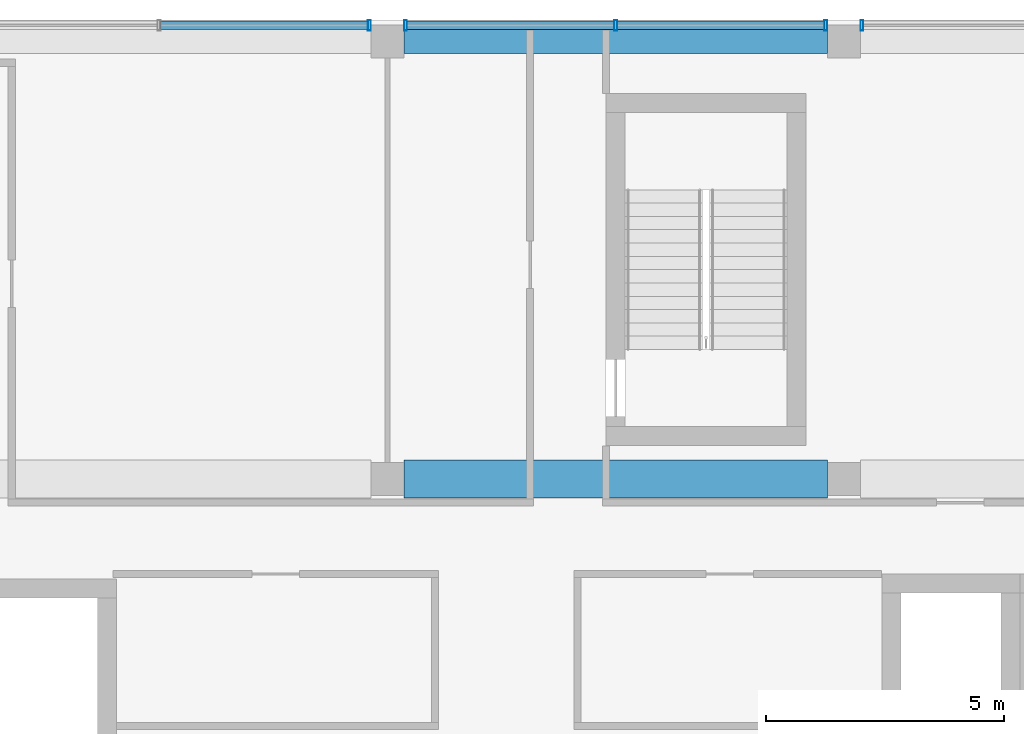
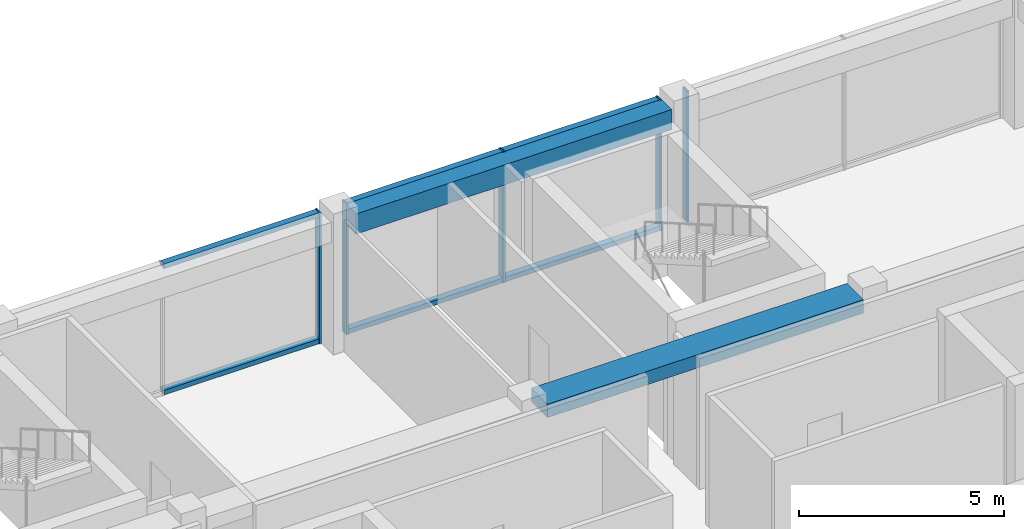
# One storey, part 15 of 27: 11 members, 2 beams, 3 elements without a shape of their own.
"""IFC4 building model written with IfcOpenShell, lengths in metres."""

from ifc_helpers import new_model, si_unit, direction, frame, origin, origin_2d, place, context, subcontext, project, spatial, rectangle, hollow_rectangle, extrude, material, layer, layer_set, material_profile, profile_set, type_object, element, aggregate, save


model = new_model("IFC4")

# Units and contexts
model_context = context("Model", 3, precision=1e-05, world=origin(), true_north=direction((0.0, 1.0)))
body_context = subcontext(model_context, "Body", "Model", "MODEL_VIEW")
ifc_project = project(units=[si_unit("LENGTHUNIT", "METRE"), si_unit("AREAUNIT", "SQUARE_METRE"), si_unit("VOLUMEUNIT", "CUBIC_METRE"), si_unit("PLANEANGLEUNIT", "RADIAN"), si_unit("MASSUNIT", "GRAM", prefix="KILO")], contexts=[model_context])

# Site, building, storey
site_placement = place(None, origin())
site = spatial("IfcSite", under=ifc_project, at=site_placement, CompositionType="ELEMENT")
building_placement = place(site_placement, origin())
building = spatial("IfcBuilding", under=site, at=building_placement, Name="Nzadi Deep Aquarium and Research Tower", CompositionType="ELEMENT")
storey_placement = place(building_placement, frame((0.0, 0.0, 69.699951171875)))
storey = spatial("IfcBuildingStorey", under=building, at=storey_placement, Name="L14", CompositionType="ELEMENT", Elevation=69.699951171875)

# Curtain wall, member
ifc_material_1 = material(Name="Aluminium unitised frame deep", Category="aluminium")
ifc_layer = layer(ifc_material_1, 0.22509765625)
ifc_layer_set = layer_set([ifc_layer], Name="Aluminium unitised frame deep")
curtain_wall_type = type_object("IfcCurtainWallType", Name="Curtain wall Unitised Deep 225", PredefinedType="NOTDEFINED", material=ifc_layer_set)
curtain_wall_1_placement = place(storey_placement, origin())
curtain_wall_1 = element("IfcCurtainWall", 1, at=curtain_wall_1_placement, inside=storey, type_object=curtain_wall_type, Name="Unitised curtain wall blade B north L14", PredefinedType="NOTDEFINED")
ifc_material_2 = material(Name="Aluminium unitised frame deep", Category="aluminium")
ifc_material_profile_1 = material_profile(ifc_material_2, hollow_rectangle(XDim=0.22509765625, YDim=0.06005859375, WallThickness=0.0048828125, at=origin_2d()))
ifc_profile_set_1 = profile_set([ifc_material_profile_1], Name="Aluminium unitised frame deep")
member_type_1 = type_object("IfcMemberType", Name="Mullion 60x225 Unitised Deep", PredefinedType="MULLION", material=ifc_profile_set_1)
member_1_placement = place(storey_placement, frame((18.820068359375, 46.33740234375, 0.0), z_axis=(0.0, 0.0, 1.0), x_axis=(0.0, 1.0, 0.0)))
member_1 = element("IfcMember", 2, at=member_1_placement, type_object=member_type_1, Name="CW181 mullion 3", PredefinedType="MULLION", context=body_context, shape_type="SweptSolid", body=[
    extrude(hollow_rectangle(XDim=0.22509765625, YDim=0.06005859375, WallThickness=0.0048828125, at=origin_2d()), origin(), (0.0, 0.0, 1.0), 3.900146484375),
])

# Curtain wall, members
curtain_wall_2_placement = place(storey_placement, origin())
curtain_wall_2 = element("IfcCurtainWall", 3, at=curtain_wall_2_placement, inside=storey, type_object=curtain_wall_type, Name="Unitised curtain wall blade B north L14", PredefinedType="NOTDEFINED")
member_2_placement = place(storey_placement, frame((19.580078125, 46.33740234375, 0.0), z_axis=(0.0, 0.0, 1.0), x_axis=(0.0, 1.0, 0.0)))
member_2 = element("IfcMember", 4, at=member_2_placement, type_object=member_type_1, Name="CW182 mullion 1", PredefinedType="MULLION", context=body_context, shape_type="SweptSolid", body=[
    extrude(hollow_rectangle(XDim=0.22509765625, YDim=0.06005859375, WallThickness=0.0048828125, at=origin_2d()), origin(), (0.0, 0.0, 1.0), 3.900146484375),
])
member_3_placement = place(storey_placement, frame((24.0, 46.33740234375, 0.0), z_axis=(0.0, 0.0, 1.0), x_axis=(0.0, 1.0, 0.0)))
member_3 = element("IfcMember", 5, at=member_3_placement, type_object=member_type_1, Name="CW182 mullion 2", PredefinedType="MULLION", context=body_context, shape_type="SweptSolid", body=[
    extrude(hollow_rectangle(XDim=0.22509765625, YDim=0.06005859375, WallThickness=0.0048828125, at=origin_2d()), origin(), (0.0, 0.0, 1.0), 3.900146484375),
])
member_4_placement = place(storey_placement, frame((28.419921875, 46.33740234375, 0.0), z_axis=(0.0, 0.0, 1.0), x_axis=(0.0, 1.0, 0.0)))
member_4 = element("IfcMember", 6, at=member_4_placement, type_object=member_type_1, Name="CW182 mullion 3", PredefinedType="MULLION", context=body_context, shape_type="SweptSolid", body=[
    extrude(hollow_rectangle(XDim=0.22509765625, YDim=0.06005859375, WallThickness=0.0048828125, at=origin_2d()), origin(), (0.0, 0.0, 1.0), 3.900146484375),
])

# Curtain wall, member
curtain_wall_3_placement = place(storey_placement, origin())
curtain_wall_3 = element("IfcCurtainWall", 7, at=curtain_wall_3_placement, inside=storey, type_object=curtain_wall_type, Name="Unitised curtain wall blade B north L14", PredefinedType="NOTDEFINED")
member_5_placement = place(storey_placement, frame((29.179931640625, 46.33740234375, 0.0), z_axis=(0.0, 0.0, 1.0), x_axis=(0.0, 1.0, 0.0)))
member_5 = element("IfcMember", 8, at=member_5_placement, type_object=member_type_1, Name="CW183 mullion 1", PredefinedType="MULLION", context=body_context, shape_type="SweptSolid", body=[
    extrude(hollow_rectangle(XDim=0.22509765625, YDim=0.06005859375, WallThickness=0.0048828125, at=origin_2d()), origin(), (0.0, 0.0, 1.0), 3.900146484375),
])
aggregate(curtain_wall_3, [member_5])

# Beams
ifc_material_3 = material(Name="Concrete C35/45", Category="concrete")
ifc_material_profile_2 = material_profile(ifc_material_3, rectangle(XDim=0.5, YDim=0.60009765625, at=origin_2d()))
ifc_profile_set_2 = profile_set([ifc_material_profile_2], Name="Concrete C35/45")
beam_type_1 = type_object("IfcBeamType", Name="RC 500x600", PredefinedType="BEAM", material=ifc_profile_set_2)
beam_1_placement = place(storey_placement, frame((19.550048828125, 46.0, 3.60009765625), z_axis=(1.0, 0.0, 0.0), x_axis=(0.0, 1.0, 0.0)))
element("IfcBeam", 9, at=beam_1_placement, inside=storey, type_object=beam_type_1, Name="B-Z1-L14-L6-3", PredefinedType="BEAM", context=body_context, shape_type="SweptSolid", body=[
    extrude(rectangle(XDim=0.5, YDim=0.60009765625, at=origin_2d()), origin(), (0.0, 0.0, 1.0), 8.89990234375),
])
ifc_material_4 = material(Name="Concrete C35/45", Category="concrete")
ifc_material_profile_3 = material_profile(ifc_material_4, rectangle(XDim=0.800048828125, YDim=0.39990234375, at=origin_2d()))
ifc_profile_set_3 = profile_set([ifc_material_profile_3], Name="Concrete C35/45")
beam_type_2 = type_object("IfcBeamType", Name="RC 800x400", PredefinedType="BEAM", material=ifc_profile_set_3)
beam_2_placement = place(storey_placement, frame((19.550048828125, 36.800048828125, 3.699951171875), z_axis=(1.0, 0.0, 0.0), x_axis=(0.0, 1.0, 0.0)))
element("IfcBeam", 10, at=beam_2_placement, inside=storey, type_object=beam_type_2, Name="B-Z1-L14-L5-3", PredefinedType="BEAM", context=body_context, shape_type="SweptSolid", body=[
    extrude(rectangle(XDim=0.800048828125, YDim=0.39990234375, at=origin_2d()), origin(), (0.0, 0.0, 1.0), 8.89990234375),
])

# Member
ifc_material_5 = material(Name="Aluminium unitised frame deep", Category="aluminium")
ifc_material_profile_4 = material_profile(ifc_material_5, hollow_rectangle(XDim=0.179931640625, YDim=0.139892578125, WallThickness=0.0048828125, at=origin_2d()))
ifc_profile_set_4 = profile_set([ifc_material_profile_4], Name="Aluminium unitised frame deep")
member_type_2 = type_object("IfcMemberType", Name="Transom 140x180 Unitised Deep", PredefinedType="MULLION", material=ifc_profile_set_4)
member_6_placement = place(storey_placement, frame((14.429931640625, 46.33740234375, 0.070068359375), z_axis=(1.0, 0.0, 0.0), x_axis=(0.0, 1.0, 0.0)))
member_6 = element("IfcMember", 11, at=member_6_placement, type_object=member_type_2, Name="CW181 transom 2.1", PredefinedType="MULLION", context=body_context, shape_type="SweptSolid", body=[
    extrude(hollow_rectangle(XDim=0.179931640625, YDim=0.139892578125, WallThickness=0.0048828125, at=origin_2d()), origin(), (0.0, 0.0, 1.0), 4.360107421875),
])

member_7_placement = place(storey_placement, frame((14.429931640625, 46.33740234375, 3.830078125), z_axis=(1.0, 0.0, 0.0), x_axis=(0.0, 1.0, 0.0)))
member_7 = element("IfcMember", 12, at=member_7_placement, type_object=member_type_2, Name="CW181 transom 2.2", PredefinedType="MULLION", context=body_context, shape_type="SweptSolid", body=[
    extrude(hollow_rectangle(XDim=0.179931640625, YDim=0.139892578125, WallThickness=0.0048828125, at=origin_2d()), origin(), (0.0, 0.0, 1.0), 4.360107421875),
])

aggregate(curtain_wall_1, [member_1, member_6, member_7])

member_8_placement = place(storey_placement, frame((19.610107421875, 46.33740234375, 0.070068359375), z_axis=(1.0, 0.0, 0.0), x_axis=(0.0, 1.0, 0.0)))
member_8 = element("IfcMember", 13, at=member_8_placement, type_object=member_type_2, Name="CW182 transom 1.1", PredefinedType="MULLION", context=body_context, shape_type="SweptSolid", body=[
    extrude(hollow_rectangle(XDim=0.179931640625, YDim=0.139892578125, WallThickness=0.0048828125, at=origin_2d()), origin(), (0.0, 0.0, 1.0), 4.35986328125),
])

member_9_placement = place(storey_placement, frame((19.610107421875, 46.33740234375, 3.830078125), z_axis=(1.0, 0.0, 0.0), x_axis=(0.0, 1.0, 0.0)))
member_9 = element("IfcMember", 14, at=member_9_placement, type_object=member_type_2, Name="CW182 transom 1.2", PredefinedType="MULLION", context=body_context, shape_type="SweptSolid", body=[
    extrude(hollow_rectangle(XDim=0.179931640625, YDim=0.139892578125, WallThickness=0.0048828125, at=origin_2d()), origin(), (0.0, 0.0, 1.0), 4.35986328125),
])

member_10_placement = place(storey_placement, frame((24.030029296875, 46.33740234375, 0.070068359375), z_axis=(1.0, 0.0, 0.0), x_axis=(0.0, 1.0, 0.0)))
member_10 = element("IfcMember", 15, at=member_10_placement, type_object=member_type_2, Name="CW182 transom 2.1", PredefinedType="MULLION", context=body_context, shape_type="SweptSolid", body=[
    extrude(hollow_rectangle(XDim=0.179931640625, YDim=0.139892578125, WallThickness=0.0048828125, at=origin_2d()), origin(), (0.0, 0.0, 1.0), 4.35986328125),
])

member_11_placement = place(storey_placement, frame((24.030029296875, 46.33740234375, 3.830078125), z_axis=(1.0, 0.0, 0.0), x_axis=(0.0, 1.0, 0.0)))
member_11 = element("IfcMember", 16, at=member_11_placement, type_object=member_type_2, Name="CW182 transom 2.2", PredefinedType="MULLION", context=body_context, shape_type="SweptSolid", body=[
    extrude(hollow_rectangle(XDim=0.179931640625, YDim=0.139892578125, WallThickness=0.0048828125, at=origin_2d()), origin(), (0.0, 0.0, 1.0), 4.35986328125),
])

aggregate(curtain_wall_2, [member_2, member_3, member_4, member_8, member_9, member_10, member_11])

save(model, "model.ifc")
